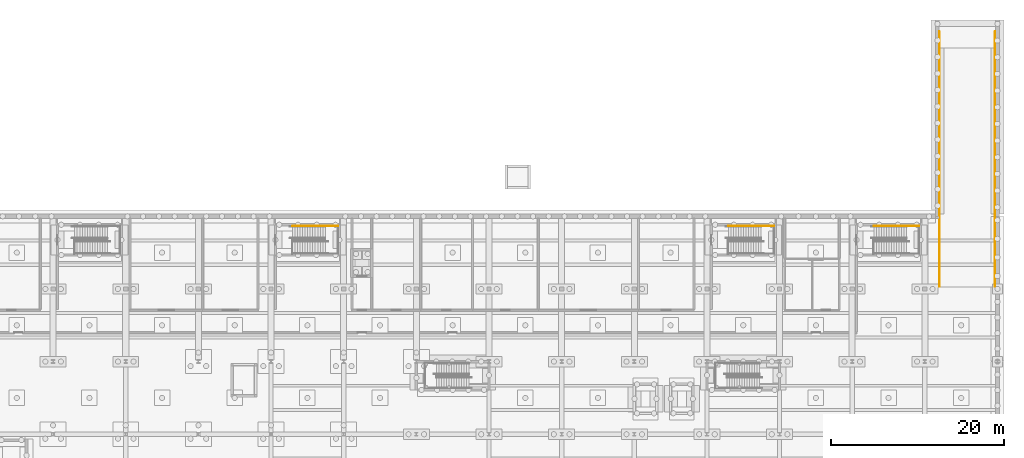
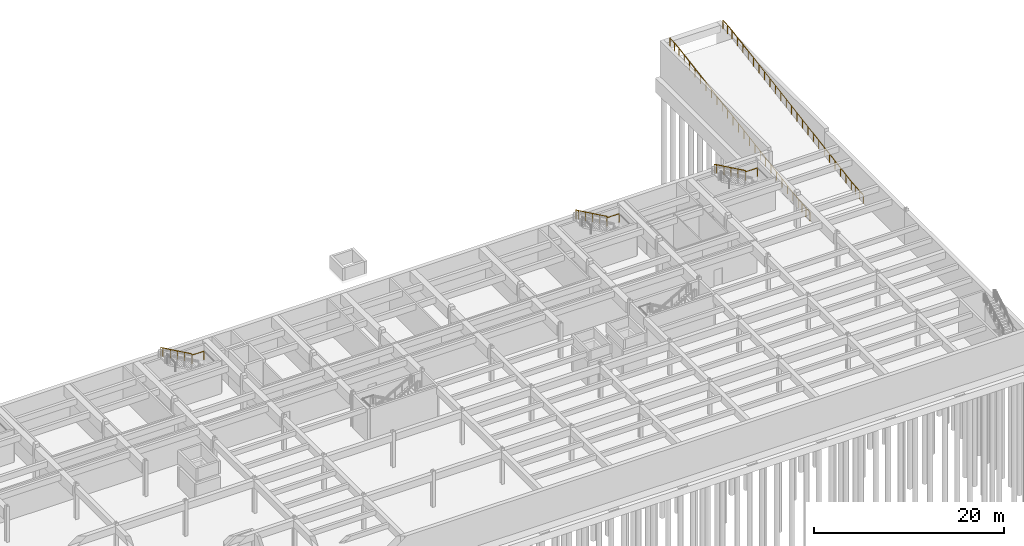
# One storey, part 32 of 33: 8 railings.
"""IFC4 building model written with IfcOpenShell, lengths in metres."""

from ifc_helpers import new_model, si_unit, direction, frame, origin, origin_2d, place, context, subcontext, project, spatial, circle, extrude, material, type_object, element, save


model = new_model("IFC4")

# Units and contexts
model_context = context("Model", 3, precision=1e-05, world=origin(), true_north=direction((0.0, 1.0)))
body_context = subcontext(model_context, "Body", "Model", "MODEL_VIEW")
ifc_project = project(units=[si_unit("LENGTHUNIT", "METRE"), si_unit("AREAUNIT", "SQUARE_METRE"), si_unit("VOLUMEUNIT", "CUBIC_METRE"), si_unit("PLANEANGLEUNIT", "RADIAN"), si_unit("MASSUNIT", "GRAM", prefix="KILO")], contexts=[model_context])

# Site, building, storey
site_placement = place(None, origin())
site = spatial("IfcSite", under=ifc_project, at=site_placement, CompositionType="ELEMENT")
building_placement = place(site_placement, origin())
building = spatial("IfcBuilding", under=site, at=building_placement, Name="Ljudholm Concert House", CompositionType="ELEMENT")
storey_placement = place(building_placement, frame((0.0, 0.0, -4.60009765625)))
storey = spatial("IfcBuildingStorey", under=building, at=storey_placement, Name="B1", CompositionType="ELEMENT", Elevation=-4.60009765625)

# Railings
ifc_material = material(Name="Steel ASTM A36", Category="steel")
railing_type = type_object("IfcRailingType", Name="GUARD 1100", PredefinedType="GUARDRAIL", material=ifc_material)
railing_1_placement = place(storey_placement, frame((114.875, 138.64990234375, 0.0)))
element("IfcRailing", 1, at=railing_1_placement, inside=storey, type_object=railing_type, Name="Guard", PredefinedType="GUARDRAIL", context=body_context, shape_type="SweptSolid", body=[
    extrude(circle(Radius=0.02490234375, at=origin_2d()), frame((0.0, 0.0, 1.0751953125), z_axis=(0.0, 0.996540386871, 0.083109911171), x_axis=(-1.0, 0.0, 0.0)), (0.0, 0.0, 1.0), 2.5087890625),
    extrude(circle(Radius=0.02490234375, at=origin_2d()), frame((0.0, 2.5, 1.28369140625), z_axis=(0.0, 0.986393923832, 0.164398987305), x_axis=(-1.0, 0.0, 0.0)), (0.0, 0.0, 1.0), 25.4462890625),
    extrude(circle(Radius=0.02490234375, at=origin_2d()), frame((0.0, 27.60009765625, 5.466796875), z_axis=(0.0, 0.996551055188, 0.082981892028), x_axis=(-1.0, 0.0, 0.0)), (0.0, 0.0, 1.0), 1.906494140625),
    extrude(circle(Radius=0.02099609375, at=origin_2d()), origin(), (0.0, 0.0, 1.0), 1.050048828125),
    extrude(circle(Radius=0.02099609375, at=origin_2d()), frame((0.0, 0.833251953125, 0.069580078125)), (0.0, 0.0, 1.0), 1.050048828125),
    extrude(circle(Radius=0.02099609375, at=origin_2d()), frame((0.0, 1.666748046875, 0.138916015625)), (0.0, 0.0, 1.0), 1.050048828125),
    extrude(circle(Radius=0.02099609375, at=origin_2d()), frame((0.0, 2.5, 0.20849609375)), (0.0, 0.0, 1.0), 1.050048828125),
    extrude(circle(Radius=0.02099609375, at=origin_2d()), frame((0.0, 3.640869140625, 0.398681640625)), (0.0, 0.0, 1.0), 1.050048828125),
    extrude(circle(Radius=0.02099609375, at=origin_2d()), frame((0.0, 4.78173828125, 0.5888671875)), (0.0, 0.0, 1.0), 1.050048828125),
    extrude(circle(Radius=0.02099609375, at=origin_2d()), frame((0.0, 5.9228515625, 0.779052734375)), (0.0, 0.0, 1.0), 1.050048828125),
    extrude(circle(Radius=0.02099609375, at=origin_2d()), frame((0.0, 7.063720703125, 0.968994140625)), (0.0, 0.0, 1.0), 1.050048828125),
    extrude(circle(Radius=0.02099609375, at=origin_2d()), frame((0.0, 8.20458984375, 1.1591796875)), (0.0, 0.0, 1.0), 1.050048828125),
    extrude(circle(Radius=0.02099609375, at=origin_2d()), frame((0.0, 9.345458984375, 1.349365234375)), (0.0, 0.0, 1.0), 1.050048828125),
    extrude(circle(Radius=0.02099609375, at=origin_2d()), frame((0.0, 10.486328125, 1.53955078125)), (0.0, 0.0, 1.0), 1.050048828125),
    extrude(circle(Radius=0.02099609375, at=origin_2d()), frame((0.0, 11.627197265625, 1.729736328125)), (0.0, 0.0, 1.0), 1.050048828125),
    extrude(circle(Radius=0.02099609375, at=origin_2d()), frame((0.0, 12.768310546875, 1.919921875)), (0.0, 0.0, 1.0), 1.050048828125),
    extrude(circle(Radius=0.02099609375, at=origin_2d()), frame((0.0, 13.9091796875, 2.110107421875)), (0.0, 0.0, 1.0), 1.050048828125),
    extrude(circle(Radius=0.02099609375, at=origin_2d()), frame((0.0, 15.050048828125, 2.30029296875)), (0.0, 0.0, 1.0), 1.050048828125),
    extrude(circle(Radius=0.02099609375, at=origin_2d()), frame((0.0, 16.19091796875, 2.490234375)), (0.0, 0.0, 1.0), 1.050048828125),
    extrude(circle(Radius=0.02099609375, at=origin_2d()), frame((0.0, 17.331787109375, 2.680419921875)), (0.0, 0.0, 1.0), 1.050048828125),
    extrude(circle(Radius=0.02099609375, at=origin_2d()), frame((0.0, 18.472900390625, 2.87060546875)), (0.0, 0.0, 1.0), 1.050048828125),
    extrude(circle(Radius=0.02099609375, at=origin_2d()), frame((0.0, 19.61376953125, 3.060791015625)), (0.0, 0.0, 1.0), 1.050048828125),
    extrude(circle(Radius=0.02099609375, at=origin_2d()), frame((0.0, 20.754638671875, 3.2509765625)), (0.0, 0.0, 1.0), 1.050048828125),
    extrude(circle(Radius=0.02099609375, at=origin_2d()), frame((0.0, 21.8955078125, 3.441162109375)), (0.0, 0.0, 1.0), 1.050048828125),
    extrude(circle(Radius=0.02099609375, at=origin_2d()), frame((0.0, 23.036376953125, 3.63134765625)), (0.0, 0.0, 1.0), 1.050048828125),
    extrude(circle(Radius=0.02099609375, at=origin_2d()), frame((0.0, 24.17724609375, 3.8212890625)), (0.0, 0.0, 1.0), 1.050048828125),
    extrude(circle(Radius=0.02099609375, at=origin_2d()), frame((0.0, 25.318359375, 4.011474609375)), (0.0, 0.0, 1.0), 1.050048828125),
    extrude(circle(Radius=0.02099609375, at=origin_2d()), frame((0.0, 26.459228515625, 4.20166015625)), (0.0, 0.0, 1.0), 1.050048828125),
    extrude(circle(Radius=0.02099609375, at=origin_2d()), frame((0.0, 27.60009765625, 4.391845703125)), (0.0, 0.0, 1.0), 1.050048828125),
    extrude(circle(Radius=0.02099609375, at=origin_2d()), frame((0.0, 28.550048828125, 4.470947265625)), (0.0, 0.0, 1.0), 1.050048828125),
    extrude(circle(Radius=0.02099609375, at=origin_2d()), frame((0.0, 29.5, 4.550048828125)), (0.0, 0.0, 1.0), 1.050048828125),
])
railing_2_placement = place(storey_placement, frame((121.324951171875, 138.64990234375, 0.0)))
element("IfcRailing", 2, at=railing_2_placement, inside=storey, type_object=railing_type, Name="Guard", PredefinedType="GUARDRAIL", context=body_context, shape_type="SweptSolid", body=[
    extrude(circle(Radius=0.02490234375, at=origin_2d()), frame((0.0, 0.0, 1.0751953125), z_axis=(0.0, 0.996540386871, 0.083109911171), x_axis=(-1.0, 0.0, 0.0)), (0.0, 0.0, 1.0), 2.5087890625),
    extrude(circle(Radius=0.02490234375, at=origin_2d()), frame((0.0, 2.5, 1.28369140625), z_axis=(0.0, 0.986393923832, 0.164398987305), x_axis=(-1.0, 0.0, 0.0)), (0.0, 0.0, 1.0), 25.4462890625),
    extrude(circle(Radius=0.02490234375, at=origin_2d()), frame((0.0, 27.60009765625, 5.466796875), z_axis=(0.0, 0.996551055188, 0.082981892028), x_axis=(-1.0, 0.0, 0.0)), (0.0, 0.0, 1.0), 1.906494140625),
    extrude(circle(Radius=0.02099609375, at=origin_2d()), origin(), (0.0, 0.0, 1.0), 1.050048828125),
    extrude(circle(Radius=0.02099609375, at=origin_2d()), frame((0.0, 0.833251953125, 0.069580078125)), (0.0, 0.0, 1.0), 1.050048828125),
    extrude(circle(Radius=0.02099609375, at=origin_2d()), frame((0.0, 1.666748046875, 0.138916015625)), (0.0, 0.0, 1.0), 1.050048828125),
    extrude(circle(Radius=0.02099609375, at=origin_2d()), frame((0.0, 2.5, 0.20849609375)), (0.0, 0.0, 1.0), 1.050048828125),
    extrude(circle(Radius=0.02099609375, at=origin_2d()), frame((0.0, 3.640869140625, 0.398681640625)), (0.0, 0.0, 1.0), 1.050048828125),
    extrude(circle(Radius=0.02099609375, at=origin_2d()), frame((0.0, 4.78173828125, 0.5888671875)), (0.0, 0.0, 1.0), 1.050048828125),
    extrude(circle(Radius=0.02099609375, at=origin_2d()), frame((0.0, 5.9228515625, 0.779052734375)), (0.0, 0.0, 1.0), 1.050048828125),
    extrude(circle(Radius=0.02099609375, at=origin_2d()), frame((0.0, 7.063720703125, 0.968994140625)), (0.0, 0.0, 1.0), 1.050048828125),
    extrude(circle(Radius=0.02099609375, at=origin_2d()), frame((0.0, 8.20458984375, 1.1591796875)), (0.0, 0.0, 1.0), 1.050048828125),
    extrude(circle(Radius=0.02099609375, at=origin_2d()), frame((0.0, 9.345458984375, 1.349365234375)), (0.0, 0.0, 1.0), 1.050048828125),
    extrude(circle(Radius=0.02099609375, at=origin_2d()), frame((0.0, 10.486328125, 1.53955078125)), (0.0, 0.0, 1.0), 1.050048828125),
    extrude(circle(Radius=0.02099609375, at=origin_2d()), frame((0.0, 11.627197265625, 1.729736328125)), (0.0, 0.0, 1.0), 1.050048828125),
    extrude(circle(Radius=0.02099609375, at=origin_2d()), frame((0.0, 12.768310546875, 1.919921875)), (0.0, 0.0, 1.0), 1.050048828125),
    extrude(circle(Radius=0.02099609375, at=origin_2d()), frame((0.0, 13.9091796875, 2.110107421875)), (0.0, 0.0, 1.0), 1.050048828125),
    extrude(circle(Radius=0.02099609375, at=origin_2d()), frame((0.0, 15.050048828125, 2.30029296875)), (0.0, 0.0, 1.0), 1.050048828125),
    extrude(circle(Radius=0.02099609375, at=origin_2d()), frame((0.0, 16.19091796875, 2.490234375)), (0.0, 0.0, 1.0), 1.050048828125),
    extrude(circle(Radius=0.02099609375, at=origin_2d()), frame((0.0, 17.331787109375, 2.680419921875)), (0.0, 0.0, 1.0), 1.050048828125),
    extrude(circle(Radius=0.02099609375, at=origin_2d()), frame((0.0, 18.472900390625, 2.87060546875)), (0.0, 0.0, 1.0), 1.050048828125),
    extrude(circle(Radius=0.02099609375, at=origin_2d()), frame((0.0, 19.61376953125, 3.060791015625)), (0.0, 0.0, 1.0), 1.050048828125),
    extrude(circle(Radius=0.02099609375, at=origin_2d()), frame((0.0, 20.754638671875, 3.2509765625)), (0.0, 0.0, 1.0), 1.050048828125),
    extrude(circle(Radius=0.02099609375, at=origin_2d()), frame((0.0, 21.8955078125, 3.441162109375)), (0.0, 0.0, 1.0), 1.050048828125),
    extrude(circle(Radius=0.02099609375, at=origin_2d()), frame((0.0, 23.036376953125, 3.63134765625)), (0.0, 0.0, 1.0), 1.050048828125),
    extrude(circle(Radius=0.02099609375, at=origin_2d()), frame((0.0, 24.17724609375, 3.8212890625)), (0.0, 0.0, 1.0), 1.050048828125),
    extrude(circle(Radius=0.02099609375, at=origin_2d()), frame((0.0, 25.318359375, 4.011474609375)), (0.0, 0.0, 1.0), 1.050048828125),
    extrude(circle(Radius=0.02099609375, at=origin_2d()), frame((0.0, 26.459228515625, 4.20166015625)), (0.0, 0.0, 1.0), 1.050048828125),
    extrude(circle(Radius=0.02099609375, at=origin_2d()), frame((0.0, 27.60009765625, 4.391845703125)), (0.0, 0.0, 1.0), 1.050048828125),
    extrude(circle(Radius=0.02099609375, at=origin_2d()), frame((0.0, 28.550048828125, 4.470947265625)), (0.0, 0.0, 1.0), 1.050048828125),
    extrude(circle(Radius=0.02099609375, at=origin_2d()), frame((0.0, 29.5, 4.550048828125)), (0.0, 0.0, 1.0), 1.050048828125),
])
railing_3_placement = place(storey_placement, frame((43.8701171875, 145.675048828125, 2.46435546875)))
element("IfcRailing", 3, at=railing_3_placement, inside=storey, type_object=railing_type, Name="Guard", PredefinedType="GUARDRAIL", context=body_context, shape_type="SweptSolid", body=[
    extrude(circle(Radius=0.02490234375, at=origin_2d()), frame((0.0, 0.0, 1.0751953125), z_axis=(-0.870085008278, 0.0, 0.4929016924), x_axis=(0.0, -1.0, 0.0)), (0.0, 0.0, 1.0), 1.0),
    extrude(circle(Radius=0.02490234375, at=origin_2d()), frame((-0.8701171875, 0.0, 1.56787109375), z_axis=(-0.870085008278, 0.0, 0.4929016924), x_axis=(0.0, -1.0, 0.0)), (0.0, 0.0, 1.0), 1.0),
    extrude(circle(Radius=0.02490234375, at=origin_2d()), frame((-1.740234375, 0.0, 2.06103515625), z_axis=(-0.870130407247, 0.0, 0.492821544155), x_axis=(0.0, -1.0, 0.0)), (0.0, 0.0, 1.0), 0.999755859375),
    extrude(circle(Radius=0.02490234375, at=origin_2d()), frame((-2.610107421875, 0.0, 2.5537109375), z_axis=(-0.870085008278, 0.0, 0.4929016924), x_axis=(0.0, -1.0, 0.0)), (0.0, 0.0, 1.0), 1.0),
    extrude(circle(Radius=0.02490234375, at=origin_2d()), frame((-3.480224609375, 0.0, 3.04638671875), z_axis=(-0.869906901224, 0.0, 0.493215960003), x_axis=(0.0, -1.0, 0.0)), (0.0, 0.0, 1.0), 0.333251953125),
    extrude(circle(Radius=0.02099609375, at=origin_2d()), origin(), (0.0, 0.0, 1.0), 1.050048828125),
    extrude(circle(Radius=0.02099609375, at=origin_2d()), frame((-0.8701171875, 0.0, 0.492919921875)), (0.0, 0.0, 1.0), 1.050048828125),
    extrude(circle(Radius=0.02099609375, at=origin_2d()), frame((-1.740234375, 0.0, 0.98583984375)), (0.0, 0.0, 1.0), 1.050048828125),
    extrude(circle(Radius=0.02099609375, at=origin_2d()), frame((-2.610107421875, 0.0, 1.478515625)), (0.0, 0.0, 1.0), 1.050048828125),
    extrude(circle(Radius=0.02099609375, at=origin_2d()), frame((-3.480224609375, 0.0, 1.971435546875)), (0.0, 0.0, 1.0), 1.050048828125),
    extrude(circle(Radius=0.02099609375, at=origin_2d()), frame((-3.77001953125, 0.0, 2.1357421875)), (0.0, 0.0, 1.0), 1.050048828125),
])
railing_4_placement = place(storey_placement, frame((43.8701171875, 145.675048828125, 2.300048828125)))
element("IfcRailing", 4, at=railing_4_placement, inside=storey, type_object=railing_type, Name="Guard", PredefinedType="GUARDRAIL", context=body_context, shape_type="SweptSolid", body=[
    extrude(circle(Radius=0.02490234375, at=origin_2d()), frame((0.0, 0.0, 1.0751953125), z_axis=(1.0, 0.0, 0.0), x_axis=(0.0, 1.0, 0.0)), (0.0, 0.0, 1.0), 1.474853515625),
    extrude(circle(Radius=0.02099609375, at=origin_2d()), origin(), (0.0, 0.0, 1.0), 1.050048828125),
    extrude(circle(Radius=0.02099609375, at=origin_2d()), frame((1.474853515625, 0.0, 0.0)), (0.0, 0.0, 1.0), 1.050048828125),
])
railing_5_placement = place(storey_placement, frame((94.27001953125, 145.675048828125, 2.46435546875)))
element("IfcRailing", 5, at=railing_5_placement, inside=storey, type_object=railing_type, Name="Guard", PredefinedType="GUARDRAIL", context=body_context, shape_type="SweptSolid", body=[
    extrude(circle(Radius=0.02490234375, at=origin_2d()), frame((0.0, 0.0, 1.0751953125), z_axis=(-0.870085008278, 0.0, 0.4929016924), x_axis=(0.0, -1.0, 0.0)), (0.0, 0.0, 1.0), 1.0),
    extrude(circle(Radius=0.02490234375, at=origin_2d()), frame((-0.8701171875, 0.0, 1.56787109375), z_axis=(-0.870025677096, 0.0, 0.493006410906), x_axis=(0.0, -1.0, 0.0)), (0.0, 0.0, 1.0), 0.999755859375),
    extrude(circle(Radius=0.02490234375, at=origin_2d()), frame((-1.739990234375, 0.0, 2.06103515625), z_axis=(-0.870189701074, 0.0, 0.492716839721), x_axis=(0.0, -1.0, 0.0)), (0.0, 0.0, 1.0), 1.0),
    extrude(circle(Radius=0.02490234375, at=origin_2d()), frame((-2.610107421875, 0.0, 2.5537109375), z_axis=(-0.870025677096, 0.0, 0.493006410906), x_axis=(0.0, -1.0, 0.0)), (0.0, 0.0, 1.0), 0.999755859375),
    extrude(circle(Radius=0.02490234375, at=origin_2d()), frame((-3.47998046875, 0.0, 3.04638671875), z_axis=(-0.870085008278, 0.0, 0.4929016924), x_axis=(0.0, -1.0, 0.0)), (0.0, 0.0, 1.0), 0.333251953125),
    extrude(circle(Radius=0.02099609375, at=origin_2d()), origin(), (0.0, 0.0, 1.0), 1.050048828125),
    extrude(circle(Radius=0.02099609375, at=origin_2d()), frame((-0.8701171875, 0.0, 0.492919921875)), (0.0, 0.0, 1.0), 1.050048828125),
    extrude(circle(Radius=0.02099609375, at=origin_2d()), frame((-1.739990234375, 0.0, 0.98583984375)), (0.0, 0.0, 1.0), 1.050048828125),
    extrude(circle(Radius=0.02099609375, at=origin_2d()), frame((-2.610107421875, 0.0, 1.478515625)), (0.0, 0.0, 1.0), 1.050048828125),
    extrude(circle(Radius=0.02099609375, at=origin_2d()), frame((-3.47998046875, 0.0, 1.971435546875)), (0.0, 0.0, 1.0), 1.050048828125),
    extrude(circle(Radius=0.02099609375, at=origin_2d()), frame((-3.77001953125, 0.0, 2.1357421875)), (0.0, 0.0, 1.0), 1.050048828125),
])
railing_6_placement = place(storey_placement, frame((94.27001953125, 145.675048828125, 2.300048828125)))
element("IfcRailing", 6, at=railing_6_placement, inside=storey, type_object=railing_type, Name="Guard", PredefinedType="GUARDRAIL", context=body_context, shape_type="SweptSolid", body=[
    extrude(circle(Radius=0.02490234375, at=origin_2d()), frame((0.0, 0.0, 1.0751953125), z_axis=(1.0, 0.0, 0.0), x_axis=(0.0, 1.0, 0.0)), (0.0, 0.0, 1.0), 1.47509765625),
    extrude(circle(Radius=0.02099609375, at=origin_2d()), origin(), (0.0, 0.0, 1.0), 1.050048828125),
    extrude(circle(Radius=0.02099609375, at=origin_2d()), frame((1.47509765625, 0.0, 0.0)), (0.0, 0.0, 1.0), 1.050048828125),
])
railing_7_placement = place(storey_placement, frame((111.070068359375, 145.675048828125, 2.46435546875)))
element("IfcRailing", 7, at=railing_7_placement, inside=storey, type_object=railing_type, Name="Guard", PredefinedType="GUARDRAIL", context=body_context, shape_type="SweptSolid", body=[
    extrude(circle(Radius=0.02490234375, at=origin_2d()), frame((0.0, 0.0, 1.0751953125), z_axis=(-0.870085008278, 0.0, 0.4929016924), x_axis=(0.0, -1.0, 0.0)), (0.0, 0.0, 1.0), 1.0),
    extrude(circle(Radius=0.02490234375, at=origin_2d()), frame((-0.8701171875, 0.0, 1.56787109375), z_axis=(-0.870025677096, 0.0, 0.493006410906), x_axis=(0.0, -1.0, 0.0)), (0.0, 0.0, 1.0), 0.999755859375),
    extrude(circle(Radius=0.02490234375, at=origin_2d()), frame((-1.739990234375, 0.0, 2.06103515625), z_axis=(-0.870189701074, 0.0, 0.492716839721), x_axis=(0.0, -1.0, 0.0)), (0.0, 0.0, 1.0), 1.0),
    extrude(circle(Radius=0.02490234375, at=origin_2d()), frame((-2.610107421875, 0.0, 2.5537109375), z_axis=(-0.870025677096, 0.0, 0.493006410906), x_axis=(0.0, -1.0, 0.0)), (0.0, 0.0, 1.0), 0.999755859375),
    extrude(circle(Radius=0.02490234375, at=origin_2d()), frame((-3.47998046875, 0.0, 3.04638671875), z_axis=(-0.870085008278, 0.0, 0.4929016924), x_axis=(0.0, -1.0, 0.0)), (0.0, 0.0, 1.0), 0.333251953125),
    extrude(circle(Radius=0.02099609375, at=origin_2d()), origin(), (0.0, 0.0, 1.0), 1.050048828125),
    extrude(circle(Radius=0.02099609375, at=origin_2d()), frame((-0.8701171875, 0.0, 0.492919921875)), (0.0, 0.0, 1.0), 1.050048828125),
    extrude(circle(Radius=0.02099609375, at=origin_2d()), frame((-1.739990234375, 0.0, 0.98583984375)), (0.0, 0.0, 1.0), 1.050048828125),
    extrude(circle(Radius=0.02099609375, at=origin_2d()), frame((-2.610107421875, 0.0, 1.478515625)), (0.0, 0.0, 1.0), 1.050048828125),
    extrude(circle(Radius=0.02099609375, at=origin_2d()), frame((-3.47998046875, 0.0, 1.971435546875)), (0.0, 0.0, 1.0), 1.050048828125),
    extrude(circle(Radius=0.02099609375, at=origin_2d()), frame((-3.77001953125, 0.0, 2.1357421875)), (0.0, 0.0, 1.0), 1.050048828125),
])
railing_8_placement = place(storey_placement, frame((111.070068359375, 145.675048828125, 2.300048828125)))
element("IfcRailing", 8, at=railing_8_placement, inside=storey, type_object=railing_type, Name="Guard", PredefinedType="GUARDRAIL", context=body_context, shape_type="SweptSolid", body=[
    extrude(circle(Radius=0.02490234375, at=origin_2d()), frame((0.0, 0.0, 1.0751953125), z_axis=(1.0, 0.0, 0.0), x_axis=(0.0, 1.0, 0.0)), (0.0, 0.0, 1.0), 1.474853515625),
    extrude(circle(Radius=0.02099609375, at=origin_2d()), origin(), (0.0, 0.0, 1.0), 1.050048828125),
    extrude(circle(Radius=0.02099609375, at=origin_2d()), frame((1.474853515625, 0.0, 0.0)), (0.0, 0.0, 1.0), 1.050048828125),
])

save(model, "model.ifc")
